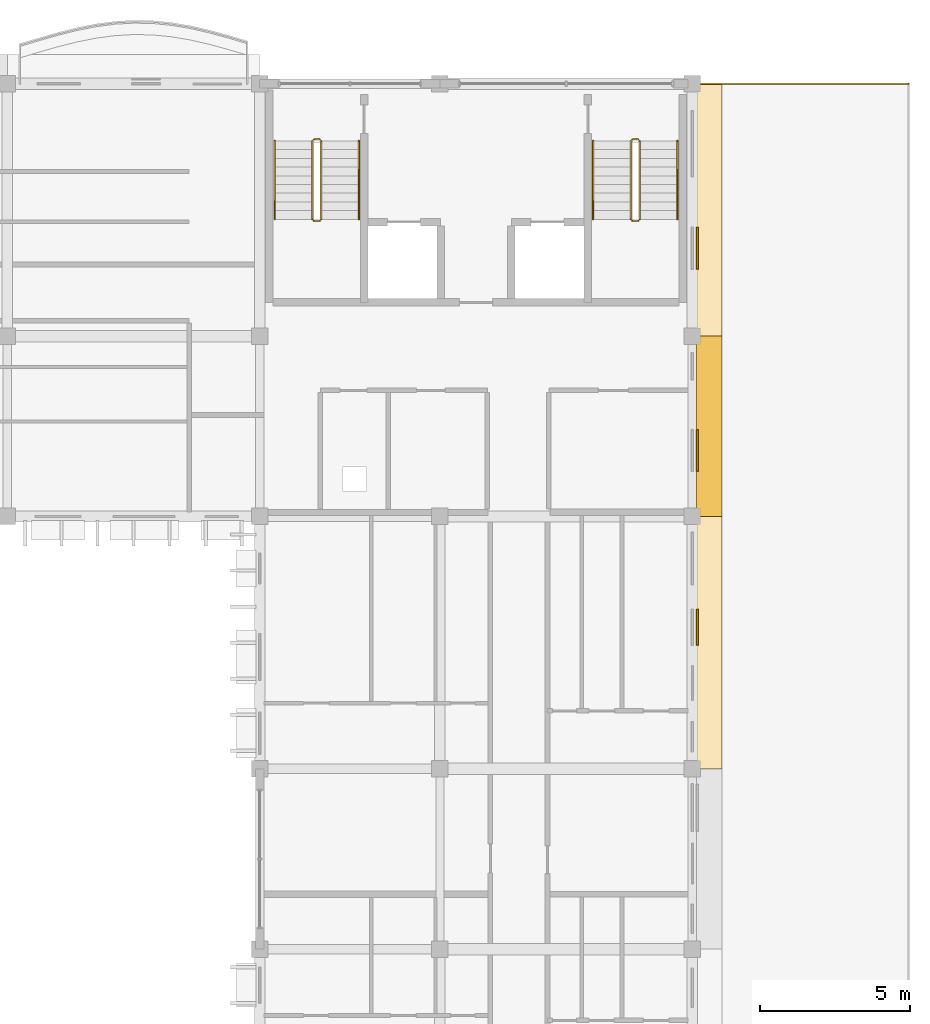
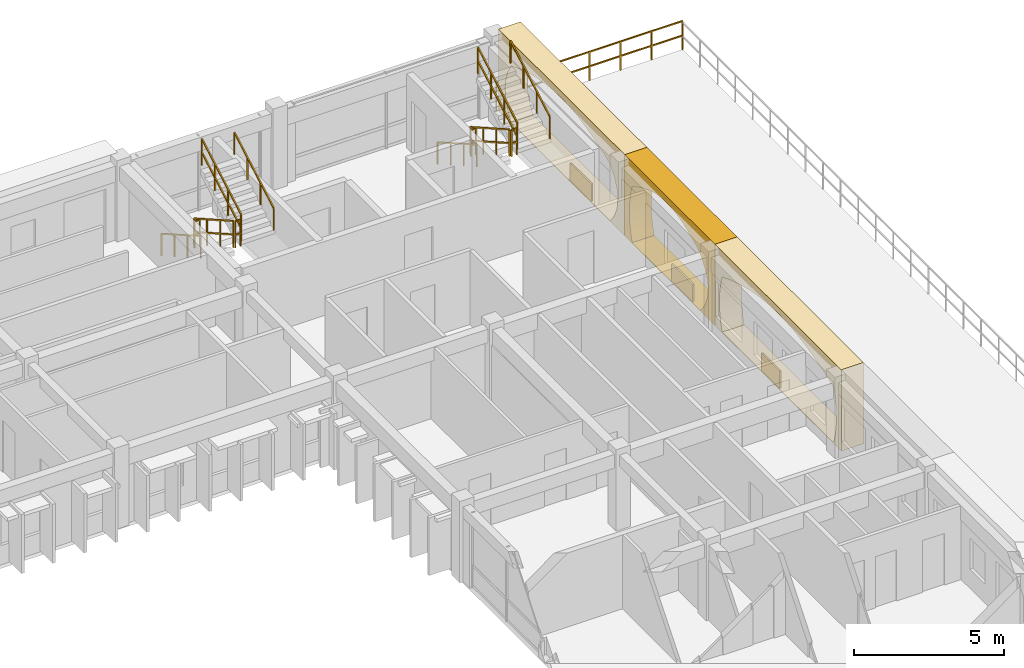
# One storey, part 68 of 68: 13 railings, 6 coverings.
"""IFC4 building model written with IfcOpenShell, lengths in metres."""

from ifc_helpers import new_model, si_unit, direction, frame, origin, origin_2d, place, context, subcontext, project, spatial, polyline, rectangle, outline, extrude, material, layer, layer_set, type_object, element, save


model = new_model("IFC4")

# Units and contexts
model_context = context("Model", 3, precision=1e-05, world=origin(), true_north=direction((0.0, 1.0)))
body_context = subcontext(model_context, "Body", "Model", "MODEL_VIEW")
ifc_project = project(units=[si_unit("LENGTHUNIT", "METRE"), si_unit("AREAUNIT", "SQUARE_METRE"), si_unit("VOLUMEUNIT", "CUBIC_METRE"), si_unit("PLANEANGLEUNIT", "RADIAN"), si_unit("MASSUNIT", "GRAM", prefix="KILO"), si_unit("THERMODYNAMICTEMPERATUREUNIT", "KELVIN")], contexts=[model_context])

# Site, building, storey
site_placement = place(None, origin())
site = spatial("IfcSite", under=ifc_project, at=site_placement, CompositionType="ELEMENT")
building_placement = place(site_placement, origin())
building = spatial("IfcBuilding", under=site, at=building_placement, Name="Thalorik Housing Commons", CompositionType="ELEMENT")
storey_placement = place(building_placement, frame((0.0, 0.0, 24.60009765625)))
storey = spatial("IfcBuildingStorey", under=building, at=storey_placement, Name="L07", CompositionType="ELEMENT", Elevation=24.60009765625)

# Coverings
ifc_material_1 = material(Name="Cobalt blue glazed ceramic facade tile panel", Category="masonry")
ifc_layer_1 = layer(ifc_material_1, 0.06005859375, Name="Cobalt blue glazed ceramic facade tile panel", Category="masonry")
ifc_layer_set_1 = layer_set([ifc_layer_1], Name="Cobalt blue glazed ceramic facade tile panel")
covering_type_1 = type_object("IfcCoveringType", Name="ARC-CLD-BLU-60", PredefinedType="CLADDING", material=ifc_layer_set_1)
covering_1_placement = place(storey_placement, frame((166.965087890625, 105.51318359375, 0.0498046875), z_axis=(0.0, 0.0, 1.0), x_axis=(0.0, 1.0, 0.0)))
element("IfcCovering", 1, at=covering_1_placement, inside=storey, type_object=covering_type_1, Name="L07 De Stijl Recessed Window Spandrel 2703", PredefinedType="CLADDING", context=body_context, shape_type="SweptSolid", body=[
    extrude(rectangle(XDim=1.199951171875, YDim=0.06005859375, at=origin_2d()), origin(), (0.0, 0.0, 1.0), 0.699951171875),
])
ifc_material_2 = material(Name="Precast concrete C40/50", Category="concrete")
ifc_layer_2 = layer(ifc_material_2, 0.85009765625, Name="Precast concrete C40/50", Category="concrete")
ifc_layer_set_2 = layer_set([ifc_layer_2], Name="Precast concrete C40/50")
covering_type_2 = type_object("IfcCoveringType", Name="ARC-CLD-CUSH-850", PredefinedType="CLADDING", material=ifc_layer_set_2)
covering_2_placement = place(storey_placement, frame((167.35498046875, 112.199951171875, 0.0), z_axis=(0.0, 0.0, 1.0), x_axis=(0.0, 1.0, 0.0)))
element("IfcCovering", 2, at=covering_2_placement, inside=storey, type_object=covering_type_2, Name="L07 White Precast Curved Cushion Bay Frame 2555", PredefinedType="CLADDING", context=body_context, shape_type="SweptSolid", body=[
    extrude(outline(polyline([(-3.0, 0.0), (3.0, 0.0), (3.0, 3.300048828125), (-3.0, 3.300048828125), (-3.0, 0.0)]), holes=[polyline([(2.5048828125, 0.02490234375), (2.609619140625, 0.404296875), (2.672119140625, 0.783203125), (2.693115234375, 1.16259765625), (2.672119140625, 1.541748046875), (2.609619140625, 1.9208984375), (2.5048828125, 2.300048828125), (2.126220703125, 2.525390625), (1.74755859375, 2.7021484375), (1.36865234375, 2.845458984375), (0.989990234375, 2.951904296875), (0.611083984375, 3.017822265625), (0.232421875, 3.0400390625), (-0.146240234375, 3.017822265625), (-0.52490234375, 2.951904296875), (-0.90380859375, 2.845458984375), (-1.282470703125, 2.7021484375), (-1.6611328125, 2.525390625), (-2.0400390625, 2.300048828125), (-2.3232421875, 1.9208984375), (-2.493408203125, 1.541748046875), (-2.550048828125, 1.16259765625), (-2.493408203125, 0.783203125), (-2.3232421875, 0.404296875), (-2.0400390625, 0.02490234375), (2.5048828125, 0.02490234375)])]), frame((0.0, 0.425048828125, 0.0), z_axis=(0.0, -1.0, 0.0), x_axis=(1.0, 0.0, 0.0)), (0.0, 0.0, 1.0), 0.85009765625),
])
covering_3_placement = place(storey_placement, frame((167.35498046875, 119.39990234375, 0.0), z_axis=(0.0, 0.0, 1.0), x_axis=(0.0, 1.0, 0.0)))
element("IfcCovering", 3, at=covering_3_placement, inside=storey, type_object=covering_type_2, Name="L07 White Precast Curved Cushion Bay Frame 2557", PredefinedType="CLADDING", context=body_context, shape_type="SweptSolid", body=[
    extrude(outline(polyline([(-4.199951171875, 0.0), (4.199951171875, 0.0), (4.199951171875, 3.300048828125), (-4.199951171875, 3.300048828125), (-4.199951171875, 0.0)]), holes=[polyline([(3.353759765625, 0.02490234375), (3.573974609375, 0.407470703125), (3.7060546875, 0.7900390625), (3.75, 1.172607421875), (3.7060546875, 1.554931640625), (3.573974609375, 1.9375), (3.353759765625, 2.320068359375), (2.80419921875, 2.539306640625), (2.2548828125, 2.711181640625), (1.705322265625, 2.8505859375), (1.156005859375, 2.954345703125), (0.6064453125, 3.018310546875), (0.056884765625, 3.0400390625), (-0.49267578125, 3.018310546875), (-1.0419921875, 2.954345703125), (-1.591552734375, 2.8505859375), (-2.14111328125, 2.711181640625), (-2.6904296875, 2.539306640625), (-3.239990234375, 2.320068359375), (-3.523193359375, 1.9375), (-3.693359375, 1.554931640625), (-3.75, 1.172607421875), (-3.693359375, 0.7900390625), (-3.523193359375, 0.407470703125), (-3.239990234375, 0.02490234375), (3.353759765625, 0.02490234375)])]), frame((0.0, 0.425048828125, 0.0), z_axis=(0.0, -1.0, 0.0), x_axis=(1.0, 0.0, 0.0)), (0.0, 0.0, 1.0), 0.85009765625),
])
covering_4_placement = place(storey_placement, frame((167.35498046875, 105.0, 0.0), z_axis=(0.0, 0.0, 1.0), x_axis=(0.0, 1.0, 0.0)))
element("IfcCovering", 4, at=covering_4_placement, inside=storey, type_object=covering_type_2, Name="L07 White Precast Curved Cushion Bay Frame 2702", PredefinedType="CLADDING", context=body_context, shape_type="SweptSolid", body=[
    extrude(outline(polyline([(-4.199951171875, 0.0), (4.199951171875, 0.0), (4.199951171875, 3.300048828125), (-4.199951171875, 3.300048828125), (-4.199951171875, 0.0)]), holes=[polyline([(3.72265625, 0.02490234375), (3.823486328125, 0.399169921875), (3.8837890625, 0.773193359375), (3.904052734375, 1.1474609375), (3.8837890625, 1.521728515625), (3.823486328125, 1.895751953125), (3.72265625, 2.27001953125), (3.10498046875, 2.50439453125), (2.4873046875, 2.6884765625), (1.86962890625, 2.837646484375), (1.251953125, 2.948486328125), (0.63427734375, 3.016845703125), (0.0166015625, 3.0400390625), (-0.60107421875, 3.016845703125), (-1.21875, 2.948486328125), (-1.83642578125, 2.837646484375), (-2.4541015625, 2.6884765625), (-3.072021484375, 2.50439453125), (-3.689697265625, 2.27001953125), (-3.79736328125, 1.895751953125), (-3.862060546875, 1.521728515625), (-3.883544921875, 1.1474609375), (-3.862060546875, 0.773193359375), (-3.79736328125, 0.399169921875), (-3.689697265625, 0.02490234375), (3.72265625, 0.02490234375)])]), frame((0.0, 0.425048828125, 0.0), z_axis=(0.0, -1.0, 0.0), x_axis=(1.0, 0.0, 0.0)), (0.0, 0.0, 1.0), 0.85009765625),
])
ifc_material_3 = material(Name="Terracotta red mineral fibre-cement panel", Category="masonry")
ifc_layer_3 = layer(ifc_material_3, 0.054931640625, Name="Terracotta red mineral fibre-cement panel", Category="masonry")
ifc_layer_set_3 = layer_set([ifc_layer_3], Name="Terracotta red mineral fibre-cement panel")
covering_type_3 = type_object("IfcCoveringType", Name="ARC-CLD-RED-55", PredefinedType="CLADDING", material=ifc_layer_set_3)
covering_5_placement = place(storey_placement, frame((166.96240234375, 118.13134765625, 0.0498046875), z_axis=(0.0, 0.0, 1.0), x_axis=(0.0, 1.0, 0.0)))
element("IfcCovering", 5, at=covering_5_placement, inside=storey, type_object=covering_type_3, Name="L07 De Stijl Recessed Window Spandrel 2558", PredefinedType="CLADDING", context=body_context, shape_type="SweptSolid", body=[
    extrude(rectangle(XDim=1.39990234375, YDim=0.054931640625, at=origin_2d()), origin(), (0.0, 0.0, 1.0), 0.699951171875),
])
ifc_material_4 = material(Name="Mineral ochre architectural terracotta panel", Category="masonry")
ifc_layer_4 = layer(ifc_material_4, 0.06494140625, Name="Mineral ochre architectural terracotta panel", Category="masonry")
ifc_layer_set_4 = layer_set([ifc_layer_4], Name="Mineral ochre architectural terracotta panel")
covering_type_4 = type_object("IfcCoveringType", Name="ARC-CLD-YEL-65", PredefinedType="CLADDING", material=ifc_layer_set_4)
covering_6_placement = place(storey_placement, frame((166.967529296875, 111.39501953125, 0.0498046875), z_axis=(0.0, 0.0, 1.0), x_axis=(0.0, 1.0, 0.0)))
element("IfcCovering", 6, at=covering_6_placement, inside=storey, type_object=covering_type_4, Name="L07 De Stijl Recessed Window Spandrel 2556", PredefinedType="CLADDING", context=body_context, shape_type="SweptSolid", body=[
    extrude(rectangle(XDim=1.3798828125, YDim=0.06494140625, at=origin_2d()), origin(), (0.0, 0.0, 1.0), 0.699951171875),
])

# Railings
ifc_material_5 = material(Name="Steel S355", Category="steel")
railing_type_1 = type_object("IfcRailingType", Name="ARC-RL-STR-GRD110", PredefinedType="GUARDRAIL", material=ifc_material_5)
railing_1_placement = place(storey_placement, frame((154.14990234375, 121.699951171875, 0.164794921875)))
element("IfcRailing", 7, at=railing_1_placement, inside=storey, type_object=railing_type_1, Name="L07 ST-B1 stair guard 1", PredefinedType="GUARDRAIL", context=body_context, shape_type="SweptSolid", body=[
    extrude(rectangle(XDim=0.048095703125, YDim=0.048095703125, at=origin_2d()), frame((0.0, 0.0, 1.076171875), z_axis=(0.0, -0.869137319866, 0.494570843475), x_axis=(1.0, 0.0, 0.0)), (0.0, 0.0, 1.0), 3.0029296875),
    extrude(rectangle(XDim=0.048095703125, YDim=0.048095703125, at=origin_2d()), frame((0.0, 0.0, 0.52587890625), z_axis=(0.0, -0.869137319866, 0.494570843475), x_axis=(1.0, 0.0, 0.0)), (0.0, 0.0, 1.0), 3.0029296875),
    extrude(rectangle(XDim=0.0419921875, YDim=0.0419921875, at=origin_2d()), origin(), (0.0, 0.0, 1.0), 1.052001953125),
    extrude(rectangle(XDim=0.0419921875, YDim=0.0419921875, at=origin_2d()), frame((0.0, -0.869873046875, 0.4951171875)), (0.0, 0.0, 1.0), 1.052001953125),
    extrude(rectangle(XDim=0.0419921875, YDim=0.0419921875, at=origin_2d()), frame((0.0, -1.739990234375, 0.989990234375)), (0.0, 0.0, 1.0), 1.052001953125),
    extrude(rectangle(XDim=0.0419921875, YDim=0.0419921875, at=origin_2d()), frame((0.0, -2.60986328125, 1.485107421875)), (0.0, 0.0, 1.0), 1.052001953125),
])
railing_2_placement = place(storey_placement, frame((154.199951171875, 119.0400390625, 1.64990234375)))
element("IfcRailing", 8, at=railing_2_placement, inside=storey, type_object=railing_type_1, Name="L07 ST-B1 stair guard 2", PredefinedType="GUARDRAIL", context=body_context, shape_type="SweptSolid", body=[
    extrude(rectangle(XDim=0.048095703125, YDim=0.048095703125, at=origin_2d()), frame((0.0, 0.0, 1.076171875), z_axis=(1.0, 0.0, 0.0), x_axis=(0.0, 1.0, 0.0)), (0.0, 0.0, 1.0), 0.199951171875),
    extrude(rectangle(XDim=0.048095703125, YDim=0.048095703125, at=origin_2d()), frame((0.0, 0.0, 0.52587890625), z_axis=(1.0, 0.0, 0.0), x_axis=(0.0, 1.0, 0.0)), (0.0, 0.0, 1.0), 0.199951171875),
    extrude(rectangle(XDim=0.0419921875, YDim=0.0419921875, at=origin_2d()), origin(), (0.0, 0.0, 1.0), 1.052001953125),
    extrude(rectangle(XDim=0.0419921875, YDim=0.0419921875, at=origin_2d()), frame((0.199951171875, 0.0, 0.0)), (0.0, 0.0, 1.0), 1.052001953125),
])
railing_3_placement = place(storey_placement, frame((154.449951171875, 119.090087890625, 1.81494140625)))
element("IfcRailing", 9, at=railing_3_placement, inside=storey, type_object=railing_type_1, Name="L07 ST-B1 stair guard 3", PredefinedType="GUARDRAIL", context=body_context, shape_type="SweptSolid", body=[
    extrude(rectangle(XDim=0.048095703125, YDim=0.048095703125, at=origin_2d()), frame((0.0, 0.0, 1.076171875), z_axis=(0.0, 0.869172267526, 0.494509422927), x_axis=(-1.0, 0.0, 0.0)), (0.0, 0.0, 1.0), 3.002685546875),
    extrude(rectangle(XDim=0.048095703125, YDim=0.048095703125, at=origin_2d()), frame((0.0, 0.0, 0.52587890625), z_axis=(0.0, 0.869172267526, 0.494509422927), x_axis=(-1.0, 0.0, 0.0)), (0.0, 0.0, 1.0), 3.002685546875),
    extrude(rectangle(XDim=0.0419921875, YDim=0.0419921875, at=origin_2d()), origin(), (0.0, 0.0, 1.0), 1.052001953125),
    extrude(rectangle(XDim=0.0419921875, YDim=0.0419921875, at=origin_2d()), frame((0.0, 0.869873046875, 0.494873046875)), (0.0, 0.0, 1.0), 1.052001953125),
    extrude(rectangle(XDim=0.0419921875, YDim=0.0419921875, at=origin_2d()), frame((0.0, 1.739990234375, 0.989990234375)), (0.0, 0.0, 1.0), 1.052001953125),
    extrude(rectangle(XDim=0.0419921875, YDim=0.0419921875, at=origin_2d()), frame((0.0, 2.60986328125, 1.48486328125)), (0.0, 0.0, 1.0), 1.052001953125),
])
railing_4_placement = place(storey_placement, frame((154.199951171875, 121.75, 0.0)))
element("IfcRailing", 10, at=railing_4_placement, inside=storey, type_object=railing_type_1, Name="L07 ST-B1 stair guard 4", PredefinedType="GUARDRAIL", context=body_context, shape_type="SweptSolid", body=[
    extrude(rectangle(XDim=0.048095703125, YDim=0.048095703125, at=origin_2d()), frame((0.0, 0.0, 1.076171875), z_axis=(1.0, 0.0, 0.0), x_axis=(0.0, 1.0, 0.0)), (0.0, 0.0, 1.0), 0.199951171875),
    extrude(rectangle(XDim=0.048095703125, YDim=0.048095703125, at=origin_2d()), frame((0.0, 0.0, 0.52587890625), z_axis=(1.0, 0.0, 0.0), x_axis=(0.0, 1.0, 0.0)), (0.0, 0.0, 1.0), 0.199951171875),
    extrude(rectangle(XDim=0.0419921875, YDim=0.0419921875, at=origin_2d()), origin(), (0.0, 0.0, 1.0), 1.052001953125),
    extrude(rectangle(XDim=0.0419921875, YDim=0.0419921875, at=origin_2d()), frame((0.199951171875, 0.0, 0.0)), (0.0, 0.0, 1.0), 1.052001953125),
])
railing_5_placement = place(storey_placement, frame((164.75, 121.699951171875, 0.164794921875)))
element("IfcRailing", 11, at=railing_5_placement, inside=storey, type_object=railing_type_1, Name="L07 ST-B2 stair guard 1", PredefinedType="GUARDRAIL", context=body_context, shape_type="SweptSolid", body=[
    extrude(rectangle(XDim=0.048095703125, YDim=0.048095703125, at=origin_2d()), frame((0.0, 0.0, 1.076171875), z_axis=(0.0, -0.869137319866, 0.494570843475), x_axis=(1.0, 0.0, 0.0)), (0.0, 0.0, 1.0), 3.0029296875),
    extrude(rectangle(XDim=0.048095703125, YDim=0.048095703125, at=origin_2d()), frame((0.0, 0.0, 0.52587890625), z_axis=(0.0, -0.869137319866, 0.494570843475), x_axis=(1.0, 0.0, 0.0)), (0.0, 0.0, 1.0), 3.0029296875),
    extrude(rectangle(XDim=0.0419921875, YDim=0.0419921875, at=origin_2d()), origin(), (0.0, 0.0, 1.0), 1.052001953125),
    extrude(rectangle(XDim=0.0419921875, YDim=0.0419921875, at=origin_2d()), frame((0.0, -0.869873046875, 0.4951171875)), (0.0, 0.0, 1.0), 1.052001953125),
    extrude(rectangle(XDim=0.0419921875, YDim=0.0419921875, at=origin_2d()), frame((0.0, -1.739990234375, 0.989990234375)), (0.0, 0.0, 1.0), 1.052001953125),
    extrude(rectangle(XDim=0.0419921875, YDim=0.0419921875, at=origin_2d()), frame((0.0, -2.60986328125, 1.485107421875)), (0.0, 0.0, 1.0), 1.052001953125),
])
railing_6_placement = place(storey_placement, frame((164.800048828125, 119.0400390625, 1.64990234375)))
element("IfcRailing", 12, at=railing_6_placement, inside=storey, type_object=railing_type_1, Name="L07 ST-B2 stair guard 2", PredefinedType="GUARDRAIL", context=body_context, shape_type="SweptSolid", body=[
    extrude(rectangle(XDim=0.048095703125, YDim=0.048095703125, at=origin_2d()), frame((0.0, 0.0, 1.076171875), z_axis=(1.0, 0.0, 0.0), x_axis=(0.0, 1.0, 0.0)), (0.0, 0.0, 1.0), 0.199951171875),
    extrude(rectangle(XDim=0.048095703125, YDim=0.048095703125, at=origin_2d()), frame((0.0, 0.0, 0.52587890625), z_axis=(1.0, 0.0, 0.0), x_axis=(0.0, 1.0, 0.0)), (0.0, 0.0, 1.0), 0.199951171875),
    extrude(rectangle(XDim=0.0419921875, YDim=0.0419921875, at=origin_2d()), origin(), (0.0, 0.0, 1.0), 1.052001953125),
    extrude(rectangle(XDim=0.0419921875, YDim=0.0419921875, at=origin_2d()), frame((0.199951171875, 0.0, 0.0)), (0.0, 0.0, 1.0), 1.052001953125),
])
railing_7_placement = place(storey_placement, frame((165.050048828125, 119.090087890625, 1.81494140625)))
element("IfcRailing", 13, at=railing_7_placement, inside=storey, type_object=railing_type_1, Name="L07 ST-B2 stair guard 3", PredefinedType="GUARDRAIL", context=body_context, shape_type="SweptSolid", body=[
    extrude(rectangle(XDim=0.048095703125, YDim=0.048095703125, at=origin_2d()), frame((0.0, 0.0, 1.076171875), z_axis=(0.0, 0.869172267526, 0.494509422927), x_axis=(-1.0, 0.0, 0.0)), (0.0, 0.0, 1.0), 3.002685546875),
    extrude(rectangle(XDim=0.048095703125, YDim=0.048095703125, at=origin_2d()), frame((0.0, 0.0, 0.52587890625), z_axis=(0.0, 0.869172267526, 0.494509422927), x_axis=(-1.0, 0.0, 0.0)), (0.0, 0.0, 1.0), 3.002685546875),
    extrude(rectangle(XDim=0.0419921875, YDim=0.0419921875, at=origin_2d()), origin(), (0.0, 0.0, 1.0), 1.052001953125),
    extrude(rectangle(XDim=0.0419921875, YDim=0.0419921875, at=origin_2d()), frame((0.0, 0.869873046875, 0.494873046875)), (0.0, 0.0, 1.0), 1.052001953125),
    extrude(rectangle(XDim=0.0419921875, YDim=0.0419921875, at=origin_2d()), frame((0.0, 1.739990234375, 0.989990234375)), (0.0, 0.0, 1.0), 1.052001953125),
    extrude(rectangle(XDim=0.0419921875, YDim=0.0419921875, at=origin_2d()), frame((0.0, 2.60986328125, 1.48486328125)), (0.0, 0.0, 1.0), 1.052001953125),
])
railing_8_placement = place(storey_placement, frame((164.800048828125, 121.75, 0.0)))
element("IfcRailing", 14, at=railing_8_placement, inside=storey, type_object=railing_type_1, Name="L07 ST-B2 stair guard 4", PredefinedType="GUARDRAIL", context=body_context, shape_type="SweptSolid", body=[
    extrude(rectangle(XDim=0.048095703125, YDim=0.048095703125, at=origin_2d()), frame((0.0, 0.0, 1.076171875), z_axis=(1.0, 0.0, 0.0), x_axis=(0.0, 1.0, 0.0)), (0.0, 0.0, 1.0), 0.199951171875),
    extrude(rectangle(XDim=0.048095703125, YDim=0.048095703125, at=origin_2d()), frame((0.0, 0.0, 0.52587890625), z_axis=(1.0, 0.0, 0.0), x_axis=(0.0, 1.0, 0.0)), (0.0, 0.0, 1.0), 0.199951171875),
    extrude(rectangle(XDim=0.0419921875, YDim=0.0419921875, at=origin_2d()), origin(), (0.0, 0.0, 1.0), 1.052001953125),
    extrude(rectangle(XDim=0.0419921875, YDim=0.0419921875, at=origin_2d()), frame((0.199951171875, 0.0, 0.0)), (0.0, 0.0, 1.0), 1.052001953125),
])
railing_type_2 = type_object("IfcRailingType", Name="ARC-RL-STR-HR092", PredefinedType="HANDRAIL", material=ifc_material_5)
railing_9_placement = place(storey_placement, frame((152.89990234375, 121.699951171875, 0.164794921875)))
element("IfcRailing", 15, at=railing_9_placement, inside=storey, type_object=railing_type_2, Name="L07 ST-B1 stair handrail 1", PredefinedType="HANDRAIL", context=body_context, shape_type="SweptSolid", body=[
    extrude(rectangle(XDim=0.048095703125, YDim=0.048095703125, at=origin_2d()), frame((0.0, 0.0, 0.89599609375), z_axis=(0.0, -0.869137319866, 0.494570843475), x_axis=(1.0, 0.0, 0.0)), (0.0, 0.0, 1.0), 3.0029296875),
    extrude(rectangle(XDim=0.0419921875, YDim=0.0419921875, at=origin_2d()), origin(), (0.0, 0.0, 1.0), 0.871826171875),
    extrude(rectangle(XDim=0.0419921875, YDim=0.0419921875, at=origin_2d()), frame((0.0, -0.869873046875, 0.4951171875)), (0.0, 0.0, 1.0), 0.871826171875),
    extrude(rectangle(XDim=0.0419921875, YDim=0.0419921875, at=origin_2d()), frame((0.0, -1.739990234375, 0.989990234375)), (0.0, 0.0, 1.0), 0.871826171875),
    extrude(rectangle(XDim=0.0419921875, YDim=0.0419921875, at=origin_2d()), frame((0.0, -2.60986328125, 1.485107421875)), (0.0, 0.0, 1.0), 0.871826171875),
])
railing_10_placement = place(storey_placement, frame((155.699951171875, 119.090087890625, 1.81494140625)))
element("IfcRailing", 16, at=railing_10_placement, inside=storey, type_object=railing_type_2, Name="L07 ST-B1 stair handrail 2", PredefinedType="HANDRAIL", context=body_context, shape_type="SweptSolid", body=[
    extrude(rectangle(XDim=0.048095703125, YDim=0.048095703125, at=origin_2d()), frame((0.0, 0.0, 0.89599609375), z_axis=(0.0, 0.869172267526, 0.494509422927), x_axis=(-1.0, 0.0, 0.0)), (0.0, 0.0, 1.0), 3.002685546875),
    extrude(rectangle(XDim=0.0419921875, YDim=0.0419921875, at=origin_2d()), origin(), (0.0, 0.0, 1.0), 0.871826171875),
    extrude(rectangle(XDim=0.0419921875, YDim=0.0419921875, at=origin_2d()), frame((0.0, 0.869873046875, 0.494873046875)), (0.0, 0.0, 1.0), 0.871826171875),
    extrude(rectangle(XDim=0.0419921875, YDim=0.0419921875, at=origin_2d()), frame((0.0, 1.739990234375, 0.989990234375)), (0.0, 0.0, 1.0), 0.871826171875),
    extrude(rectangle(XDim=0.0419921875, YDim=0.0419921875, at=origin_2d()), frame((0.0, 2.60986328125, 1.48486328125)), (0.0, 0.0, 1.0), 0.871826171875),
])
railing_11_placement = place(storey_placement, frame((163.5, 121.699951171875, 0.164794921875)))
element("IfcRailing", 17, at=railing_11_placement, inside=storey, type_object=railing_type_2, Name="L07 ST-B2 stair handrail 1", PredefinedType="HANDRAIL", context=body_context, shape_type="SweptSolid", body=[
    extrude(rectangle(XDim=0.048095703125, YDim=0.048095703125, at=origin_2d()), frame((0.0, 0.0, 0.89599609375), z_axis=(0.0, -0.869137319866, 0.494570843475), x_axis=(1.0, 0.0, 0.0)), (0.0, 0.0, 1.0), 3.0029296875),
    extrude(rectangle(XDim=0.0419921875, YDim=0.0419921875, at=origin_2d()), origin(), (0.0, 0.0, 1.0), 0.871826171875),
    extrude(rectangle(XDim=0.0419921875, YDim=0.0419921875, at=origin_2d()), frame((0.0, -0.869873046875, 0.4951171875)), (0.0, 0.0, 1.0), 0.871826171875),
    extrude(rectangle(XDim=0.0419921875, YDim=0.0419921875, at=origin_2d()), frame((0.0, -1.739990234375, 0.989990234375)), (0.0, 0.0, 1.0), 0.871826171875),
    extrude(rectangle(XDim=0.0419921875, YDim=0.0419921875, at=origin_2d()), frame((0.0, -2.60986328125, 1.485107421875)), (0.0, 0.0, 1.0), 0.871826171875),
])
railing_12_placement = place(storey_placement, frame((166.300048828125, 119.090087890625, 1.81494140625)))
element("IfcRailing", 18, at=railing_12_placement, inside=storey, type_object=railing_type_2, Name="L07 ST-B2 stair handrail 2", PredefinedType="HANDRAIL", context=body_context, shape_type="SweptSolid", body=[
    extrude(rectangle(XDim=0.048095703125, YDim=0.048095703125, at=origin_2d()), frame((0.0, 0.0, 0.89599609375), z_axis=(0.0, 0.869172267526, 0.494509422927), x_axis=(-1.0, 0.0, 0.0)), (0.0, 0.0, 1.0), 3.002685546875),
    extrude(rectangle(XDim=0.0419921875, YDim=0.0419921875, at=origin_2d()), origin(), (0.0, 0.0, 1.0), 0.871826171875),
    extrude(rectangle(XDim=0.0419921875, YDim=0.0419921875, at=origin_2d()), frame((0.0, 0.869873046875, 0.494873046875)), (0.0, 0.0, 1.0), 0.871826171875),
    extrude(rectangle(XDim=0.0419921875, YDim=0.0419921875, at=origin_2d()), frame((0.0, 1.739990234375, 0.989990234375)), (0.0, 0.0, 1.0), 0.871826171875),
    extrude(rectangle(XDim=0.0419921875, YDim=0.0419921875, at=origin_2d()), frame((0.0, 2.60986328125, 1.48486328125)), (0.0, 0.0, 1.0), 0.871826171875),
])
railing_type_3 = type_object("IfcRailingType", Name="ARC-RL-TER-118", PredefinedType="GUARDRAIL", material=ifc_material_5)
railing_13_placement = place(storey_placement, frame((174.0, 123.60009765625, 0.0)))
element("IfcRailing", 19, at=railing_13_placement, inside=storey, type_object=railing_type_3, Name="L07 L07 East Sky-Garden Terrace Edge Guardrail", PredefinedType="GUARDRAIL", context=body_context, shape_type="SweptSolid", body=[
    extrude(rectangle(XDim=0.048095703125, YDim=0.048095703125, at=origin_2d()), frame((0.0, 0.0, 1.15576171875), z_axis=(-1.0, 0.0, 0.0), x_axis=(0.0, -1.0, 0.0)), (0.0, 0.0, 1.0), 7.14990234375),
    extrude(rectangle(XDim=0.048095703125, YDim=0.048095703125, at=origin_2d()), frame((0.0, 0.0, 0.56591796875), z_axis=(-1.0, 0.0, 0.0), x_axis=(0.0, -1.0, 0.0)), (0.0, 0.0, 1.0), 7.14990234375),
    extrude(rectangle(XDim=0.0419921875, YDim=0.0419921875, at=origin_2d()), origin(), (0.0, 0.0, 1.0), 1.1318359375),
    extrude(rectangle(XDim=0.0419921875, YDim=0.0419921875, at=origin_2d()), frame((-1.191650390625, 0.0, 0.0)), (0.0, 0.0, 1.0), 1.1318359375),
    extrude(rectangle(XDim=0.0419921875, YDim=0.0419921875, at=origin_2d()), frame((-2.38330078125, 0.0, 0.0)), (0.0, 0.0, 1.0), 1.1318359375),
    extrude(rectangle(XDim=0.0419921875, YDim=0.0419921875, at=origin_2d()), frame((-3.574951171875, 0.0, 0.0)), (0.0, 0.0, 1.0), 1.1318359375),
    extrude(rectangle(XDim=0.0419921875, YDim=0.0419921875, at=origin_2d()), frame((-4.7666015625, 0.0, 0.0)), (0.0, 0.0, 1.0), 1.1318359375),
    extrude(rectangle(XDim=0.0419921875, YDim=0.0419921875, at=origin_2d()), frame((-5.958251953125, 0.0, 0.0)), (0.0, 0.0, 1.0), 1.1318359375),
    extrude(rectangle(XDim=0.0419921875, YDim=0.0419921875, at=origin_2d()), frame((-7.14990234375, 0.0, 0.0)), (0.0, 0.0, 1.0), 1.1318359375),
])

save(model, "model.ifc")
